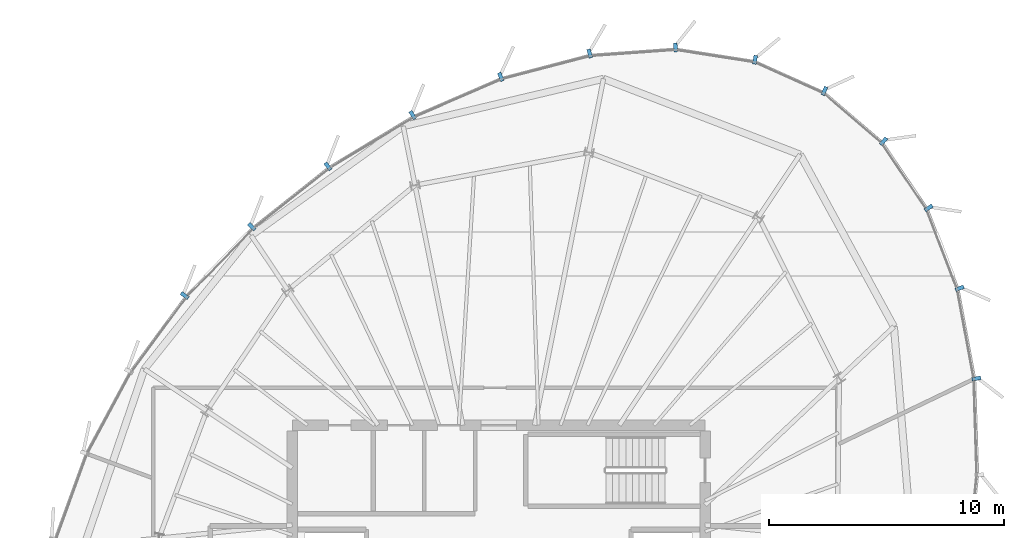
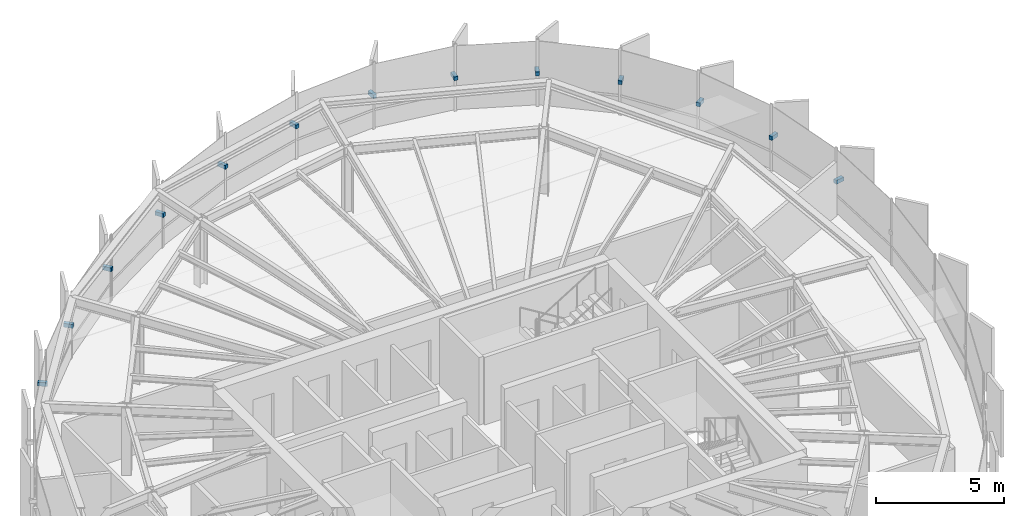
# One storey, part 28 of 33: 13 discrete accessories.
"""IFC4 building model written with IfcOpenShell, lengths in metres."""

import ifcopenshell
import ifcopenshell.guid

model = None  # the IFC model being written
_history = None  # IfcOwnerHistory: only IFC2X3 demands one
_inside = {}  # id of a spatial element -> (the spatial element, [elements in it])
_under = {}  # id of a project, library or spatial element -> (it, [spatial elements below it])
_declared = {}  # id of a project -> (the project, [libraries it declares])
_typed = {}  # id of a type object -> (the type object, [elements of that type])
_made_of = {}  # id of a material, layer set ... -> (it, [elements and type objects made of it])


def new_model(schema):
    """Start an empty IFC model of exactly this schema.

    Asked for "IFC4X3", IfcOpenShell would pick the latest addendum, in which some entities
    have other attributes; the version numbers below select the first issue.
    IFC2X3 requires an IfcOwnerHistory on every rooted entity: one is made here for all.
    """
    global model, _history
    if schema == "IFC4X3":
        model = ifcopenshell.file(schema_version=(4, 3, 0, 0))
    else:
        model = ifcopenshell.file(schema=schema)
    _inside.clear()
    _under.clear()
    _declared.clear()
    _typed.clear()
    _made_of.clear()
    _history = None
    if model.schema == "IFC2X3":
        org = make("IfcOrganization", Name="unknown")
        user = make(
            "IfcPersonAndOrganization",
            ThePerson=make("IfcPerson", FamilyName="unknown"),
            TheOrganization=org,
        )
        app = make(
            "IfcApplication",
            ApplicationDeveloper=org,
            Version="unknown",
            ApplicationFullName="unknown",
            ApplicationIdentifier="unknown",
        )
        _history = make(
            "IfcOwnerHistory",
            OwningUser=user,
            OwningApplication=app,
            ChangeAction="ADDED",
            CreationDate=0,
        )
    return model


def make(cls, **values):
    """One entity of the class cls with the attributes given. An attribute that is None is left unset."""
    return model.create_entity(
        cls, **{name: value for name, value in values.items() if value is not None}
    )


def rooted(cls, **values):
    """An entity with a GlobalId (a new one), such as an element, a storey or a relation."""
    return make(cls, GlobalId=ifcopenshell.guid.new(), OwnerHistory=_history, **values)


def si_unit(unit_type, name, prefix=None):
    """IfcSIUnit, for example si_unit("LENGTHUNIT", "METRE", prefix="MILLI")."""
    return make("IfcSIUnit", UnitType=unit_type, Prefix=prefix, Name=name)


def assignment(units):
    """IfcUnitAssignment: the units of a project."""
    return None if units is None else make("IfcUnitAssignment", Units=units)


def point(xyz):
    """IfcCartesianPoint."""
    return None if xyz is None else make("IfcCartesianPoint", Coordinates=xyz)


def direction(xyz):
    """IfcDirection."""
    return None if xyz is None else make("IfcDirection", DirectionRatios=xyz)


def frame(location, z_axis=None, x_axis=None):
    """IfcAxis2Placement3D, a coordinate frame: its origin and axes. An axis left out is left unset."""
    return make(
        "IfcAxis2Placement3D",
        Location=point(location),
        Axis=direction(z_axis),
        RefDirection=direction(x_axis),
    )


def frame_2d(location, x_axis=None):
    """IfcAxis2Placement2D, a coordinate frame in the plane: its origin and x axis."""
    return make(
        "IfcAxis2Placement2D", Location=point(location), RefDirection=direction(x_axis)
    )


def origin():
    """The frame at (0, 0, 0) with its axes left unset."""
    return frame((0.0, 0.0, 0.0))


def origin_2d():
    """The frame at (0, 0) in the plane with its x axis left unset."""
    return frame_2d((0.0, 0.0))


def place(relative_to, where):
    """IfcLocalPlacement: puts the frame where relative to a parent placement (None: the world)."""
    return make(
        "IfcLocalPlacement", PlacementRelTo=relative_to, RelativePlacement=where
    )


def context(
    kind, dimensions, precision=None, world=None, true_north=None, identifier=None
):
    """IfcGeometricRepresentationContext, for example the 3D "Model" context."""
    return make(
        "IfcGeometricRepresentationContext",
        ContextIdentifier=identifier,
        ContextType=kind,
        CoordinateSpaceDimension=dimensions,
        Precision=precision,
        WorldCoordinateSystem=world,
        TrueNorth=true_north,
    )


def subcontext(parent, identifier, kind, view, scale=None):
    """IfcGeometricRepresentationSubContext, for example "Body" below "Model"."""
    return make(
        "IfcGeometricRepresentationSubContext",
        ContextIdentifier=identifier,
        ContextType=kind,
        ParentContext=parent,
        TargetScale=scale,
        TargetView=view,
    )


def project(units=None, contexts=None):
    """IfcProject with its units and contexts."""
    return rooted(
        "IfcProject",
        Name="project",
        RepresentationContexts=contexts,
        UnitsInContext=assignment(units),
    )


def spatial(cls, under=None, at=None, **own):
    """A site, building, storey or space (cls), placed at a placement, below another one or the project."""
    s = rooted(cls, ObjectPlacement=at, **own)
    if under is not None:
        _under.setdefault(under.id(), (under, []))[1].append(s)
    return s


def profile(cls, at=None, kind="AREA", **sizes):
    """A parametric profile (cls). Its sizes go by their IFC names, for example OverallWidth=200.0."""
    return make(cls, ProfileType=kind, Position=at, **sizes)


def rectangle(**sizes):
    """IfcRectangleProfileDef."""
    return profile("IfcRectangleProfileDef", **sizes)


def extrude(swept, where, along, depth):
    """IfcExtrudedAreaSolid: the profile swept, set in the frame where, extruded along a direction by depth."""
    return make(
        "IfcExtrudedAreaSolid",
        SweptArea=swept,
        Position=where,
        ExtrudedDirection=direction(along),
        Depth=depth,
    )


def shape(context_of_items, identifier, shape_type, items):
    """IfcShapeRepresentation: the items that make up one representation, for example the "Body"."""
    return make(
        "IfcShapeRepresentation",
        ContextOfItems=context_of_items,
        RepresentationIdentifier=identifier,
        RepresentationType=shape_type,
        Items=items,
    )


def source(mapping_origin, context_of_items, identifier, shape_type, items):
    """IfcRepresentationMap: a shape defined once, which mapped items show again and again."""
    return make(
        "IfcRepresentationMap",
        MappingOrigin=mapping_origin,
        MappedRepresentation=shape(context_of_items, identifier, shape_type, items),
    )


def transform(
    local_origin,
    x_axis=None,
    y_axis=None,
    z_axis=None,
    scale=None,
    scale2=None,
    scale3=None,
    uniform=True,
):
    """IfcCartesianTransformationOperator3D, or its non-uniform kind. x_axis, y_axis, z_axis: its Axis1, 2, 3."""
    if uniform:
        return make(
            "IfcCartesianTransformationOperator3D",
            Axis1=direction(x_axis),
            Axis2=direction(y_axis),
            LocalOrigin=point(local_origin),
            Scale=scale,
            Axis3=direction(z_axis),
        )
    return make(
        "IfcCartesianTransformationOperator3DnonUniform",
        Axis1=direction(x_axis),
        Axis2=direction(y_axis),
        LocalOrigin=point(local_origin),
        Scale=scale,
        Axis3=direction(z_axis),
        Scale2=scale2,
        Scale3=scale3,
    )


def mapped(mapping_source, mapping_target):
    """IfcMappedItem: shows the shape of a source again, moved by a transform."""
    return make(
        "IfcMappedItem", MappingSource=mapping_source, MappingTarget=mapping_target
    )


def material(Name=None, Category=None):
    """IfcMaterial."""
    return make("IfcMaterial", Name=Name, Category=Category)


def made_of(thing, what):
    """Note that an element or type object is made of a material, layer set ...; save() writes the relation."""
    if what is not None:
        _made_of.setdefault(what.id(), (what, []))[1].append(thing)
    return thing


def type_object(cls, material=None, **own):
    """A type object (cls), such as IfcWallType, which elements share."""
    return made_of(rooted(cls, **own), material)


def element(
    cls,
    number,
    at=None,
    inside=None,
    cuts=None,
    type_object=None,
    material=None,
    context=None,
    identifier="Body",
    shape_type=None,
    held_by="IfcProductDefinitionShape",
    body=None,
    shapes=None,
    **own,
):
    """One element of the class cls, such as IfcWall. Its Tag is "e" and its number.

    at: its placement. inside: the storey or other place that contains it. cuts: it is an
    opening in that element (IfcRelVoidsElement). A single representation is given by context,
    identifier, shape_type and body (its items); several are given by shapes. held_by: the class
    of the entity that holds the representations. save() writes the other relations.
    """
    e = rooted(cls, Tag="e%d" % number, ObjectPlacement=at, **own)
    if body is not None:
        shapes = [shape(context, identifier, shape_type, body)]
    if shapes is not None:
        e.Representation = make(held_by, Representations=shapes)
    if inside is not None:
        _inside.setdefault(inside.id(), (inside, []))[1].append(e)
    if cuts is not None:
        rooted(
            "IfcRelVoidsElement", RelatingBuildingElement=cuts, RelatedOpeningElement=e
        )
    if type_object is not None:
        _typed.setdefault(type_object.id(), (type_object, []))[1].append(e)
    return made_of(e, material)


def aggregate(whole, parts):
    """IfcRelAggregates: a whole, such as a stair, and the parts it consists of."""
    return rooted("IfcRelAggregates", RelatingObject=whole, RelatedObjects=parts)


def save(model, path):
    """Write the relations noted so far, then the file.

    IfcRelAggregates (storeys below a building ...), IfcRelContainedInSpatialStructure (elements
    in a storey), IfcRelDefinesByType, IfcRelAssociatesMaterial and IfcRelDeclares: one each for
    every whole, place, type object, material and project.
    """
    for whole, parts in _under.values():
        aggregate(whole, parts)
    for where, things in _inside.values():
        rooted(
            "IfcRelContainedInSpatialStructure",
            RelatedElements=things,
            RelatingStructure=where,
        )
    for kind, things in _typed.values():
        rooted("IfcRelDefinesByType", RelatedObjects=things, RelatingType=kind)
    for what, things in _made_of.values():
        rooted("IfcRelAssociatesMaterial", RelatedObjects=things, RelatingMaterial=what)
    for by, libraries in _declared.values():
        rooted("IfcRelDeclares", RelatingContext=by, RelatedDefinitions=libraries)
    model.write(path)


model = new_model("IFC4")

# Units and contexts
model_context = context("Model", 3, precision=1e-05, world=origin(), true_north=direction((0.0, 1.0)))
body_context = subcontext(model_context, "Body", "Model", "MODEL_VIEW")
ifc_project = project(units=[si_unit("LENGTHUNIT", "METRE"), si_unit("AREAUNIT", "SQUARE_METRE"), si_unit("VOLUMEUNIT", "CUBIC_METRE"), si_unit("PLANEANGLEUNIT", "RADIAN"), si_unit("MASSUNIT", "GRAM", prefix="KILO"), si_unit("THERMODYNAMICTEMPERATUREUNIT", "KELVIN")], contexts=[model_context])

# Site, building, storey
site_placement = place(None, origin())
site = spatial("IfcSite", under=ifc_project, at=site_placement, CompositionType="ELEMENT")
building_placement = place(site_placement, origin())
building = spatial("IfcBuilding", under=site, at=building_placement, Name="Kethvar Cultural Tower", CompositionType="ELEMENT")
storey_placement = place(building_placement, frame((0.0, 0.0, 266.35009765625)))
storey = spatial("IfcBuildingStorey", under=building, at=storey_placement, Name="L70", CompositionType="ELEMENT", Elevation=266.35009765625)

# Discrete accessories
ifc_material = material(Name="Steel S355J2", Category="steel")
discrete_accessory_type = type_object("IfcDiscreteAccessoryType", Name="Steel Fin Bracket BRK-01", PredefinedType="BRACKET", material=ifc_material)
shared_shape = source(origin(), body_context, "Body", "SweptSolid", [
    extrude(rectangle(XDim=0.3798828125, YDim=0.159912109375, at=origin_2d()), origin(), (0.0, 0.0, 1.0), 0.179931640625),
])
for number, where, z_axis, x_axis, name in (
    (1, (60.6865234375, 49.75048828125, 1.51513671875), (0.0, 0.0, 1.0), (0.410241398845, 0.911976970473, 0.0), "L70 Terracotta Fin Bracket 1.1"),
    (2, (57.730224609375, 51.079833984375, 1.51513671875), (0.0, 0.0, 1.0), (0.15436551383, 0.988013809691, 0.0), "L70 Terracotta Fin Bracket 1.2"),
    (3, (54.34130859375, 51.60888671875, 1.51513671875), (0.0, 0.0, 1.0), (-0.0716715295, 0.997428289081, 0.0), "L70 Terracotta Fin Bracket 1.3"),
    (4, (50.679931640625, 51.345458984375, 1.51513671875), (0.0, 0.0, 1.0), (-0.253420288991, 0.967356272077, 0.0), "L70 Terracotta Fin Bracket 1.4"),
    (5, (46.892333984375, 50.352783203125, 1.51513671875), (0.0, 0.0, 1.0), (-0.397788507398, 0.917477140523, 0.0), "L70 Terracotta Fin Bracket 1.5"),
    (6, (43.13232421875, 48.72265625, 1.51513671875), (0.0, 0.0, 1.0), (-0.51683219099, 0.856086728292, 0.0), "L70 Terracotta Fin Bracket 1.6"),
    (7, (39.5205078125, 46.537109375, 1.51513671875), (0.0, 0.0, 1.0), (-0.620874181818, 0.783910231054, 0.0), "L70 Terracotta Fin Bracket 2.1"),
    (8, (36.273193359375, 43.965576171875, 1.51513671875), (0.0, 0.0, 1.0), (-0.716301943425, 0.697790459842, 0.0), "L70 Terracotta Fin Bracket 2.2"),
    (9, (33.41162109375, 41.02783203125, 1.51513671875), (0.0, 0.0, 1.0), (-0.804271929332, 0.594261443885, 0.0), "L70 Terracotta Fin Bracket 2.3"),
    (10, (67.1669921875, 37.487548828125, 1.51513671875), (0.0, 0.0, 1.0), (0.983191235463, 0.182578735093, 0.0), "L70 Terracotta Fin Bracket 6.3"),
    (11, (66.451904296875, 41.337646484375, 1.51513671875), (0.0, 0.0, 1.0), (0.933016351911, 0.359833971528, 0.0), "L70 Terracotta Fin Bracket 6.4"),
    (12, (65.130859375, 44.762939453125, 1.51513671875), (0.0, 0.0, 1.0), (0.828255984098, 0.560349912828, 0.0), "L70 Terracotta Fin Bracket 6.5"),
    (13, (63.20849609375, 47.60400390625, 1.51513671875), (0.0, 0.0, 1.0), (0.650509141939, 0.759498424128, 0.0), "L70 Terracotta Fin Bracket 6.6"),
):
    element("IfcDiscreteAccessory", number, at=place(storey_placement, frame(where, z_axis=z_axis, x_axis=x_axis)), inside=storey, type_object=discrete_accessory_type, Name=name, PredefinedType="BRACKET", context=body_context, shape_type="MappedRepresentation", body=[
        mapped(shared_shape, transform((0.0, 0.0, 0.0), scale=1.0)),
    ])

save(model, "model.ifc")
